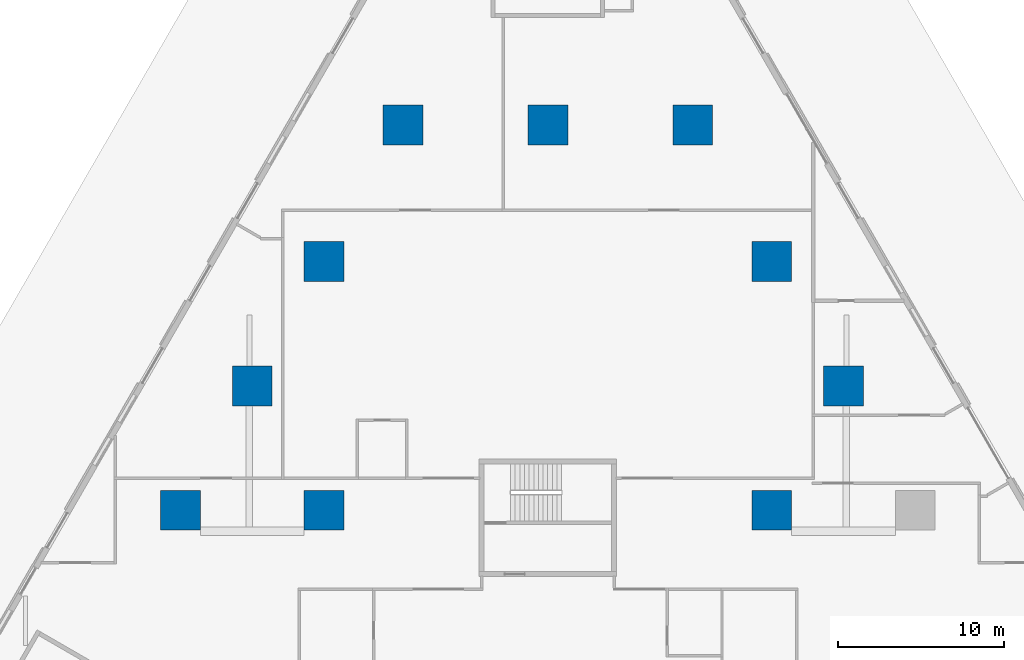
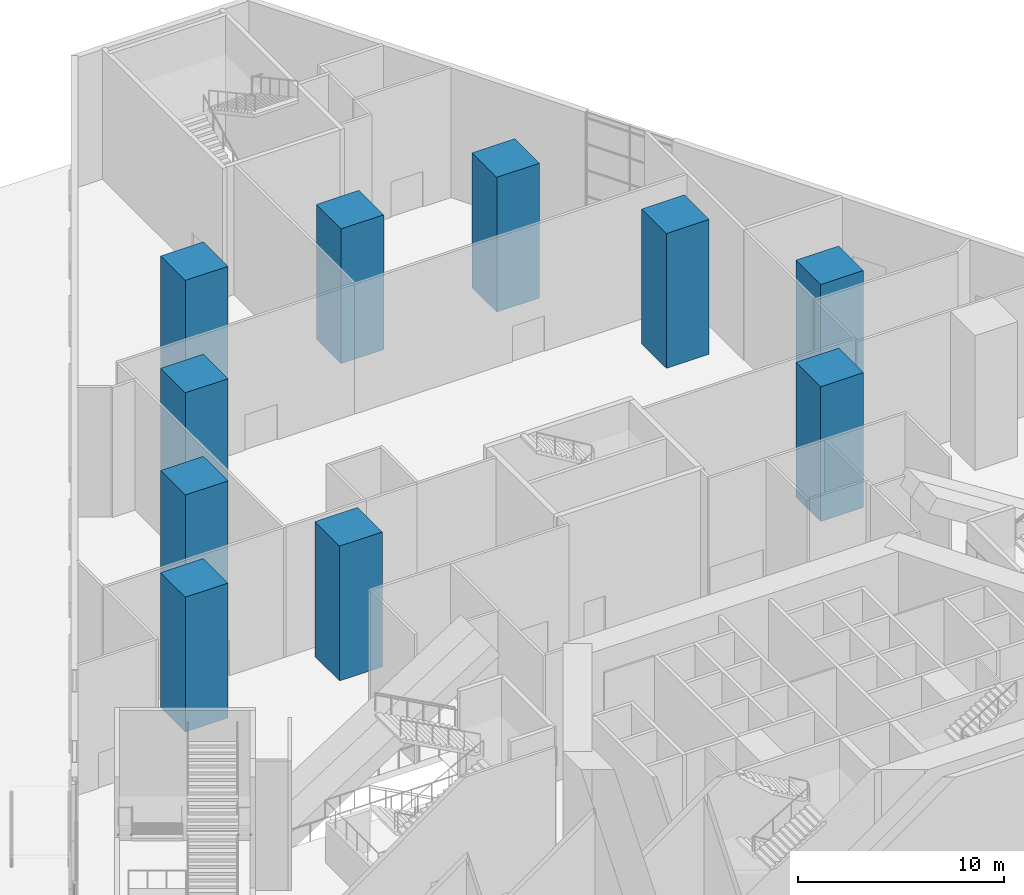
# One storey, part 2 of 24: 10 columns.
"""IFC4 building model written with IfcOpenShell, lengths in metres."""

import ifcopenshell
import ifcopenshell.guid

model = None  # the IFC model being written
_history = None  # IfcOwnerHistory: only IFC2X3 demands one
_inside = {}  # id of a spatial element -> (the spatial element, [elements in it])
_under = {}  # id of a project, library or spatial element -> (it, [spatial elements below it])
_declared = {}  # id of a project -> (the project, [libraries it declares])
_typed = {}  # id of a type object -> (the type object, [elements of that type])
_made_of = {}  # id of a material, layer set ... -> (it, [elements and type objects made of it])


def new_model(schema):
    """Start an empty IFC model of exactly this schema.

    Asked for "IFC4X3", IfcOpenShell would pick the latest addendum, in which some entities
    have other attributes; the version numbers below select the first issue.
    IFC2X3 requires an IfcOwnerHistory on every rooted entity: one is made here for all.
    """
    global model, _history
    if schema == "IFC4X3":
        model = ifcopenshell.file(schema_version=(4, 3, 0, 0))
    else:
        model = ifcopenshell.file(schema=schema)
    _inside.clear()
    _under.clear()
    _declared.clear()
    _typed.clear()
    _made_of.clear()
    _history = None
    if model.schema == "IFC2X3":
        org = make("IfcOrganization", Name="unknown")
        user = make(
            "IfcPersonAndOrganization",
            ThePerson=make("IfcPerson", FamilyName="unknown"),
            TheOrganization=org,
        )
        app = make(
            "IfcApplication",
            ApplicationDeveloper=org,
            Version="unknown",
            ApplicationFullName="unknown",
            ApplicationIdentifier="unknown",
        )
        _history = make(
            "IfcOwnerHistory",
            OwningUser=user,
            OwningApplication=app,
            ChangeAction="ADDED",
            CreationDate=0,
        )
    return model


def make(cls, **values):
    """One entity of the class cls with the attributes given. An attribute that is None is left unset."""
    return model.create_entity(
        cls, **{name: value for name, value in values.items() if value is not None}
    )


def rooted(cls, **values):
    """An entity with a GlobalId (a new one), such as an element, a storey or a relation."""
    return make(cls, GlobalId=ifcopenshell.guid.new(), OwnerHistory=_history, **values)


def si_unit(unit_type, name, prefix=None):
    """IfcSIUnit, for example si_unit("LENGTHUNIT", "METRE", prefix="MILLI")."""
    return make("IfcSIUnit", UnitType=unit_type, Prefix=prefix, Name=name)


def assignment(units):
    """IfcUnitAssignment: the units of a project."""
    return None if units is None else make("IfcUnitAssignment", Units=units)


def point(xyz):
    """IfcCartesianPoint."""
    return None if xyz is None else make("IfcCartesianPoint", Coordinates=xyz)


def direction(xyz):
    """IfcDirection."""
    return None if xyz is None else make("IfcDirection", DirectionRatios=xyz)


def frame(location, z_axis=None, x_axis=None):
    """IfcAxis2Placement3D, a coordinate frame: its origin and axes. An axis left out is left unset."""
    return make(
        "IfcAxis2Placement3D",
        Location=point(location),
        Axis=direction(z_axis),
        RefDirection=direction(x_axis),
    )


def frame_2d(location, x_axis=None):
    """IfcAxis2Placement2D, a coordinate frame in the plane: its origin and x axis."""
    return make(
        "IfcAxis2Placement2D", Location=point(location), RefDirection=direction(x_axis)
    )


def origin():
    """The frame at (0, 0, 0) with its axes left unset."""
    return frame((0.0, 0.0, 0.0))


def origin_2d():
    """The frame at (0, 0) in the plane with its x axis left unset."""
    return frame_2d((0.0, 0.0))


def place(relative_to, where):
    """IfcLocalPlacement: puts the frame where relative to a parent placement (None: the world)."""
    return make(
        "IfcLocalPlacement", PlacementRelTo=relative_to, RelativePlacement=where
    )


def context(
    kind, dimensions, precision=None, world=None, true_north=None, identifier=None
):
    """IfcGeometricRepresentationContext, for example the 3D "Model" context."""
    return make(
        "IfcGeometricRepresentationContext",
        ContextIdentifier=identifier,
        ContextType=kind,
        CoordinateSpaceDimension=dimensions,
        Precision=precision,
        WorldCoordinateSystem=world,
        TrueNorth=true_north,
    )


def subcontext(parent, identifier, kind, view, scale=None):
    """IfcGeometricRepresentationSubContext, for example "Body" below "Model"."""
    return make(
        "IfcGeometricRepresentationSubContext",
        ContextIdentifier=identifier,
        ContextType=kind,
        ParentContext=parent,
        TargetScale=scale,
        TargetView=view,
    )


def project(units=None, contexts=None):
    """IfcProject with its units and contexts."""
    return rooted(
        "IfcProject",
        Name="project",
        RepresentationContexts=contexts,
        UnitsInContext=assignment(units),
    )


def spatial(cls, under=None, at=None, **own):
    """A site, building, storey or space (cls), placed at a placement, below another one or the project."""
    s = rooted(cls, ObjectPlacement=at, **own)
    if under is not None:
        _under.setdefault(under.id(), (under, []))[1].append(s)
    return s


def profile(cls, at=None, kind="AREA", **sizes):
    """A parametric profile (cls). Its sizes go by their IFC names, for example OverallWidth=200.0."""
    return make(cls, ProfileType=kind, Position=at, **sizes)


def rectangle(**sizes):
    """IfcRectangleProfileDef."""
    return profile("IfcRectangleProfileDef", **sizes)


def extrude(swept, where, along, depth):
    """IfcExtrudedAreaSolid: the profile swept, set in the frame where, extruded along a direction by depth."""
    return make(
        "IfcExtrudedAreaSolid",
        SweptArea=swept,
        Position=where,
        ExtrudedDirection=direction(along),
        Depth=depth,
    )


def shape(context_of_items, identifier, shape_type, items):
    """IfcShapeRepresentation: the items that make up one representation, for example the "Body"."""
    return make(
        "IfcShapeRepresentation",
        ContextOfItems=context_of_items,
        RepresentationIdentifier=identifier,
        RepresentationType=shape_type,
        Items=items,
    )


def material(Name=None, Category=None):
    """IfcMaterial."""
    return make("IfcMaterial", Name=Name, Category=Category)


def material_profile(
    of_material, cross_section, Name=None, Category=None, Priority=None
):
    """IfcMaterialProfile: a cross section and its material."""
    return make(
        "IfcMaterialProfile",
        Name=Name,
        Material=of_material,
        Profile=cross_section,
        Priority=Priority,
        Category=Category,
    )


def profile_set(profiles, Name=None, composite=None):
    """IfcMaterialProfileSet."""
    return make(
        "IfcMaterialProfileSet",
        Name=Name,
        MaterialProfiles=profiles,
        CompositeProfile=composite,
    )


def made_of(thing, what):
    """Note that an element or type object is made of a material, layer set ...; save() writes the relation."""
    if what is not None:
        _made_of.setdefault(what.id(), (what, []))[1].append(thing)
    return thing


def type_object(cls, material=None, **own):
    """A type object (cls), such as IfcWallType, which elements share."""
    return made_of(rooted(cls, **own), material)


def element(
    cls,
    number,
    at=None,
    inside=None,
    cuts=None,
    type_object=None,
    material=None,
    context=None,
    identifier="Body",
    shape_type=None,
    held_by="IfcProductDefinitionShape",
    body=None,
    shapes=None,
    **own,
):
    """One element of the class cls, such as IfcWall. Its Tag is "e" and its number.

    at: its placement. inside: the storey or other place that contains it. cuts: it is an
    opening in that element (IfcRelVoidsElement). A single representation is given by context,
    identifier, shape_type and body (its items); several are given by shapes. held_by: the class
    of the entity that holds the representations. save() writes the other relations.
    """
    e = rooted(cls, Tag="e%d" % number, ObjectPlacement=at, **own)
    if body is not None:
        shapes = [shape(context, identifier, shape_type, body)]
    if shapes is not None:
        e.Representation = make(held_by, Representations=shapes)
    if inside is not None:
        _inside.setdefault(inside.id(), (inside, []))[1].append(e)
    if cuts is not None:
        rooted(
            "IfcRelVoidsElement", RelatingBuildingElement=cuts, RelatedOpeningElement=e
        )
    if type_object is not None:
        _typed.setdefault(type_object.id(), (type_object, []))[1].append(e)
    return made_of(e, material)


def aggregate(whole, parts):
    """IfcRelAggregates: a whole, such as a stair, and the parts it consists of."""
    return rooted("IfcRelAggregates", RelatingObject=whole, RelatedObjects=parts)


def save(model, path):
    """Write the relations noted so far, then the file.

    IfcRelAggregates (storeys below a building ...), IfcRelContainedInSpatialStructure (elements
    in a storey), IfcRelDefinesByType, IfcRelAssociatesMaterial and IfcRelDeclares: one each for
    every whole, place, type object, material and project.
    """
    for whole, parts in _under.values():
        aggregate(whole, parts)
    for where, things in _inside.values():
        rooted(
            "IfcRelContainedInSpatialStructure",
            RelatedElements=things,
            RelatingStructure=where,
        )
    for kind, things in _typed.values():
        rooted("IfcRelDefinesByType", RelatedObjects=things, RelatingType=kind)
    for what, things in _made_of.values():
        rooted("IfcRelAssociatesMaterial", RelatedObjects=things, RelatingMaterial=what)
    for by, libraries in _declared.values():
        rooted("IfcRelDeclares", RelatingContext=by, RelatedDefinitions=libraries)
    model.write(path)


model = new_model("IFC4")

# Units and contexts
model_context = context("Model", 3, precision=1e-05, world=origin(), true_north=direction((0.0, 1.0)))
body_context = subcontext(model_context, "Body", "Model", "MODEL_VIEW")
ifc_project = project(units=[si_unit("LENGTHUNIT", "METRE"), si_unit("AREAUNIT", "SQUARE_METRE"), si_unit("VOLUMEUNIT", "CUBIC_METRE"), si_unit("PLANEANGLEUNIT", "RADIAN"), si_unit("MASSUNIT", "GRAM", prefix="KILO")], contexts=[model_context])

# Site, building, storey
site_placement = place(None, origin())
site = spatial("IfcSite", under=ifc_project, at=site_placement, CompositionType="ELEMENT")
building_placement = place(site_placement, origin())
building = spatial("IfcBuilding", under=site, at=building_placement, Name="Fogline Exchange Tower", CompositionType="ELEMENT")
storey_placement = place(building_placement, origin())
storey = spatial("IfcBuildingStorey", under=building, at=storey_placement, Name="L00", CompositionType="ELEMENT", Elevation=0.0)

# Columns
ifc_material = material(Name="Concrete C80", Category="concrete")
ifc_material_profile = material_profile(ifc_material, rectangle(XDim=2.39990234375, YDim=2.39990234375, at=origin_2d()), Name="RC 2400x2400")
ifc_profile_set = profile_set([ifc_material_profile], Name="Concrete C80")
column_type = type_object("IfcColumnType", Name="MC01", PredefinedType="COLUMN", material=ifc_profile_set)
for number, where, z_axis, x_axis, name in (
    (1, (-8.739990234375, 56.0, 0.0), (0.0, 0.0, 1.0), (1.0, 0.0, 0.0), "M01"),
    (2, (8.739990234375, 56.0, 0.0), (0.0, 0.0, 1.0), (1.0, 0.0, 0.0), "M02"),
    (3, (-22.157958984375, 32.760009765625, 0.0), (0.0, 0.0, 1.0), (1.0, 0.0, 0.0), "M04"),
    (4, (-13.5, 47.756103515625, 0.0), (0.0, 0.0, 1.0), (1.0, 0.0, 0.0), "M05"),
    (5, (-13.5, 32.760009765625, 0.0), (0.0, 0.0, 1.0), (1.0, 0.0, 0.0), "M06"),
    (6, (0.0, 56.0, 0.0), (0.0, 0.0, 1.0), (1.0, 0.0, 0.0), "M07"),
    (7, (13.5, 47.756103515625, 0.0), (0.0, 0.0, 1.0), (1.0, 0.0, 0.0), "M08"),
    (8, (13.5, 32.760009765625, 0.0), (0.0, 0.0, 1.0), (1.0, 0.0, 0.0), "M09"),
    (9, (17.8291015625, 40.258056640625, 0.0), (0.0, 0.0, 1.0), (1.0, 0.0, 0.0), "M10"),
    (10, (-17.8291015625, 40.258056640625, 0.0), (0.0, 0.0, 1.0), (1.0, 0.0, 0.0), "M11"),
):
    element("IfcColumn", number, at=place(storey_placement, frame(where, z_axis=z_axis, x_axis=x_axis)), inside=storey, type_object=column_type, Name=name, PredefinedType="COLUMN", context=body_context, shape_type="SweptSolid", body=[
        extrude(rectangle(XDim=2.39990234375, YDim=2.39990234375, at=origin_2d()), origin(), (0.0, 0.0, 1.0), 8.0),
    ])

save(model, "model.ifc")
